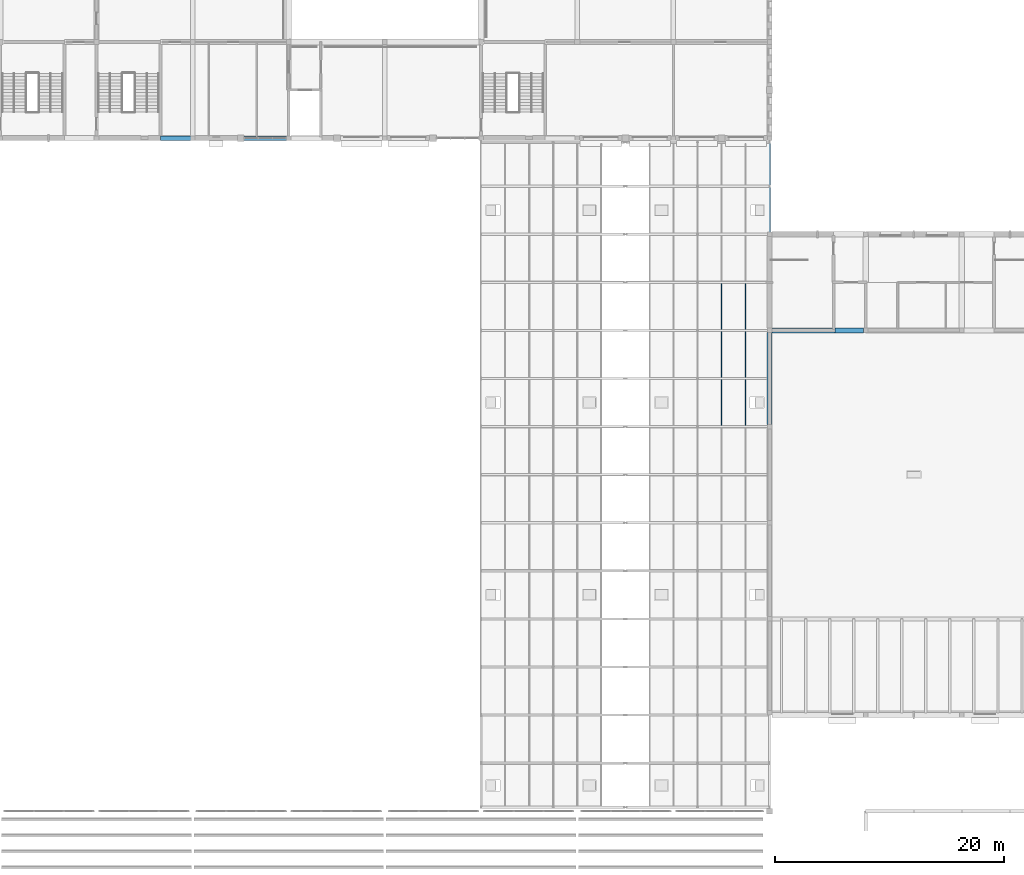
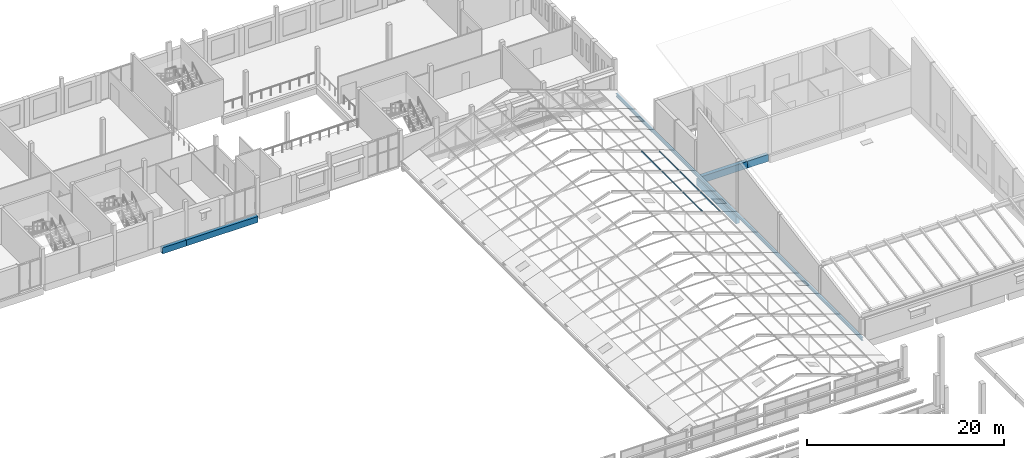
# One storey, part 62 of 116: 6 beams, 6 members.
"""IFC4 building model written with IfcOpenShell, lengths in metres."""

from ifc_helpers import new_model, si_unit, direction, frame, origin, origin_2d, place, context, subcontext, project, spatial, rectangle, hollow_rectangle, i_section, extrude, material, material_profile, profile_set, type_object, element, save


model = new_model("IFC4")

# Units and contexts
model_context = context("Model", 3, precision=1e-05, world=origin(), true_north=direction((0.0, 1.0)))
body_context = subcontext(model_context, "Body", "Model", "MODEL_VIEW")
ifc_project = project(units=[si_unit("LENGTHUNIT", "METRE"), si_unit("AREAUNIT", "SQUARE_METRE"), si_unit("VOLUMEUNIT", "CUBIC_METRE"), si_unit("PLANEANGLEUNIT", "RADIAN"), si_unit("MASSUNIT", "GRAM", prefix="KILO")], contexts=[model_context])

# Site, building, storey
site_placement = place(None, origin())
site = spatial("IfcSite", under=ifc_project, at=site_placement, CompositionType="ELEMENT")
building_placement = place(site_placement, origin())
building = spatial("IfcBuilding", under=site, at=building_placement, Name="Fescue Hill Polytechnic", CompositionType="ELEMENT")
storey_placement = place(building_placement, frame((0.0, 0.0, 13.5)))
storey = spatial("IfcBuildingStorey", under=building, at=storey_placement, Name="L03", CompositionType="ELEMENT", Elevation=13.5)

# Beams
ifc_material_1 = material(Name="Concrete 35 MPa", Category="concrete")
ifc_material_profile_1 = material_profile(ifc_material_1, rectangle(XDim=0.39990234375, YDim=0.75, at=origin_2d()), Name="RC 400x750")
ifc_profile_set_1 = profile_set([ifc_material_profile_1], Name="Concrete 35 MPa")
beam_type_1 = type_object("IfcBeamType", Name="Beam RC 400x750", PredefinedType="BEAM", material=ifc_profile_set_1)
beam_1_placement = place(storey_placement, frame((64.39990234375, 109.199951171875, -0.675048828125), z_axis=(1.0, 0.0, 0.0), x_axis=(0.0, 1.0, 0.0)))
element("IfcBeam", 1, at=beam_1_placement, inside=storey, type_object=beam_type_1, Name="BM-L03-0083", PredefinedType="BEAM", context=body_context, shape_type="SweptSolid", body=[
    extrude(rectangle(XDim=0.39990234375, YDim=0.75, at=origin_2d()), origin(), (0.0, 0.0, 1.0), 2.7900390625),
])
beam_2_placement = place(storey_placement, frame((67.2099609375, 109.199951171875, -0.675048828125), z_axis=(1.0, 0.0, 0.0), x_axis=(0.0, 1.0, 0.0)))
element("IfcBeam", 2, at=beam_2_placement, inside=storey, type_object=beam_type_1, Name="BM-L03-0088", PredefinedType="BEAM", context=body_context, shape_type="SweptSolid", body=[
    extrude(rectangle(XDim=0.39990234375, YDim=0.75, at=origin_2d()), origin(), (0.0, 0.0, 1.0), 8.39013671875),
])
ifc_material_profile_2 = material_profile(ifc_material_1, rectangle(XDim=0.449951171875, YDim=0.85009765625, at=origin_2d()), Name="RC 450x850")
ifc_profile_set_2 = profile_set([ifc_material_profile_2], Name="Concrete 35 MPa")
beam_type_2 = type_object("IfcBeamType", Name="Beam RC 450x850", PredefinedType="BEAM", material=ifc_profile_set_2)
beam_3_placement = place(storey_placement, frame((117.60009765625, 92.199951171875, -0.425048828125), z_axis=(0.0, -1.0, 0.0), x_axis=(1.0, 0.0, 0.0)))
element("IfcBeam", 3, at=beam_3_placement, inside=storey, type_object=beam_type_2, Name="BM-L03-0144", PredefinedType="BEAM", context=body_context, shape_type="SweptSolid", body=[
    extrude(rectangle(XDim=0.449951171875, YDim=0.85009765625, at=origin_2d()), origin(), (0.0, 0.0, 1.0), 8.0),
])
beam_4_placement = place(storey_placement, frame((117.800048828125, 92.39990234375, -0.425048828125), z_axis=(1.0, 0.0, 0.0), x_axis=(0.0, 1.0, 0.0)))
element("IfcBeam", 4, at=beam_4_placement, inside=storey, type_object=beam_type_2, Name="BM-L03-0147", PredefinedType="BEAM", context=body_context, shape_type="SweptSolid", body=[
    extrude(rectangle(XDim=0.449951171875, YDim=0.85009765625, at=origin_2d()), origin(), (0.0, 0.0, 1.0), 5.52490234375),
])
beam_5_placement = place(storey_placement, frame((123.324951171875, 92.39990234375, -0.425048828125), z_axis=(1.0, 0.0, 0.0), x_axis=(0.0, 1.0, 0.0)))
element("IfcBeam", 5, at=beam_5_placement, inside=storey, type_object=beam_type_2, Name="BM-L03-0149", PredefinedType="BEAM", context=body_context, shape_type="SweptSolid", body=[
    extrude(rectangle(XDim=0.449951171875, YDim=0.85009765625, at=origin_2d()), origin(), (0.0, 0.0, 1.0), 2.47509765625),
])
ifc_material_2 = material(Name="Steel 350W (350 MPa)", Category="steel")
ifc_material_profile_3 = material_profile(ifc_material_2, i_section(OverallWidth=0.180908203125, OverallDepth=0.4169921875, WebThickness=0.010986328125, FlangeThickness=0.018310546875, FilletRadius=0.016845703125, at=origin_2d()), Name="W410x85")
ifc_profile_set_3 = profile_set([ifc_material_profile_3], Name="Steel 350W (350 MPa)")
beam_type_3 = type_object("IfcBeamType", Name="Winter garden eaves beam W410x85", PredefinedType="BEAM", material=ifc_profile_set_3)
beam_6_placement = place(storey_placement, frame((117.60009765625, 58.800048828125, 0.20849609375), z_axis=(0.0, 1.0, 0.0), x_axis=(-1.0, 0.0, 0.0)))
element("IfcBeam", 6, at=beam_6_placement, inside=storey, type_object=beam_type_3, Name="Winter garden eaves beam east", PredefinedType="BEAM", context=body_context, shape_type="SweptSolid", body=[
    extrude(i_section(OverallWidth=0.180908203125, OverallDepth=0.4169921875, WebThickness=0.010986328125, FlangeThickness=0.018310546875, FilletRadius=0.016845703125, at=origin_2d()), origin(), (0.0, 0.0, 1.0), 50.050048828125),
])

# Members
ifc_material_profile_4 = material_profile(ifc_material_2, hollow_rectangle(XDim=0.1015625, YDim=0.15234375, WallThickness=0.00634765625, InnerFilletRadius=0.00634765625, OuterFilletRadius=0.0126953125, at=origin_2d()), Name="Winter garden glazing purlin HSS 152x102x6.4")
ifc_profile_set_4 = profile_set([ifc_material_profile_4], Name="Steel 350W (350 MPa)")
member_type = type_object("IfcMemberType", Name="Winter garden glazing purlin HSS 152x102x6.4", PredefinedType="PURLIN", material=ifc_profile_set_4)
for number, where, z_axis, x_axis, name in (
    (7, (115.5, 84.1015625, 1.41455078125), (0.0, 1.0, 0.0), (-1.0, 0.0, 0.0), "Winter garden glazing purlin E1 bay 9"),
    (8, (113.400146484375, 84.1015625, 2.164306640625), (0.0, 1.0, 0.0), (-1.0, 0.0, 0.0), "Winter garden glazing purlin E2 bay 9"),
    (9, (115.5, 88.301513671875, 1.41455078125), (0.0, 1.0, 0.0), (-1.0, 0.0, 0.0), "Winter garden glazing purlin E1 bay 10"),
    (10, (113.400146484375, 88.301513671875, 2.164306640625), (0.0, 1.0, 0.0), (-1.0, 0.0, 0.0), "Winter garden glazing purlin E2 bay 10"),
):
    element("IfcMember", number, at=place(storey_placement, frame(where, z_axis=z_axis, x_axis=x_axis)), inside=storey, type_object=member_type, Name=name, PredefinedType="PURLIN", context=body_context, shape_type="SweptSolid", body=[
        extrude(hollow_rectangle(XDim=0.1015625, YDim=0.15234375, WallThickness=0.00634765625, InnerFilletRadius=0.00634765625, OuterFilletRadius=0.0126953125, at=origin_2d()), origin(), (0.0, 0.0, 1.0), 3.996826171875),
    ])
for number, where, z_axis, x_axis, name in (
    (11, (115.5, 92.501708984375, 1.41455078125), (0.0, 1.0, 0.0), (-1.0, 0.0, 0.0), "Winter garden glazing purlin E1 bay 11"),
    (12, (113.400146484375, 92.501708984375, 2.164306640625), (0.0, 1.0, 0.0), (-1.0, 0.0, 0.0), "Winter garden glazing purlin E2 bay 11"),
):
    element("IfcMember", number, at=place(storey_placement, frame(where, z_axis=z_axis, x_axis=x_axis)), inside=storey, type_object=member_type, Name=name, PredefinedType="PURLIN", context=body_context, shape_type="SweptSolid", body=[
        extrude(hollow_rectangle(XDim=0.1015625, YDim=0.15234375, WallThickness=0.00634765625, InnerFilletRadius=0.00634765625, OuterFilletRadius=0.0126953125, at=origin_2d()), origin(), (0.0, 0.0, 1.0), 3.99658203125),
    ])

save(model, "model.ifc")
